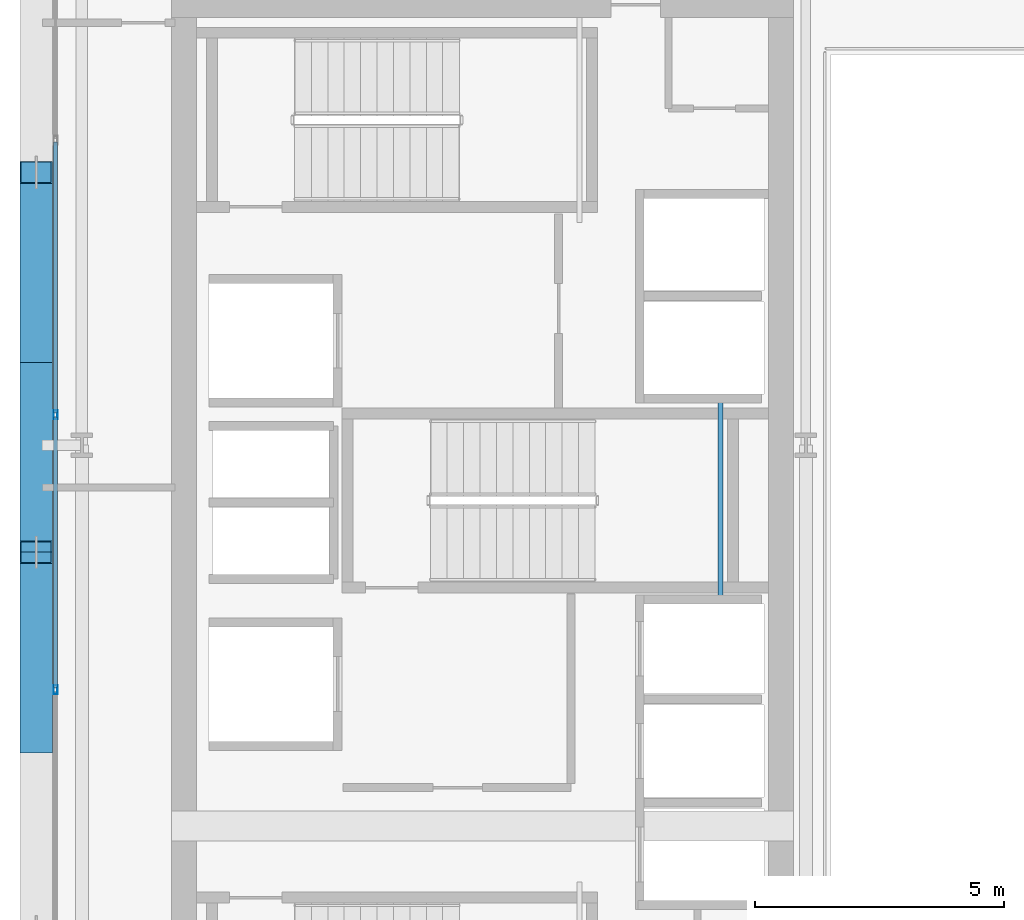
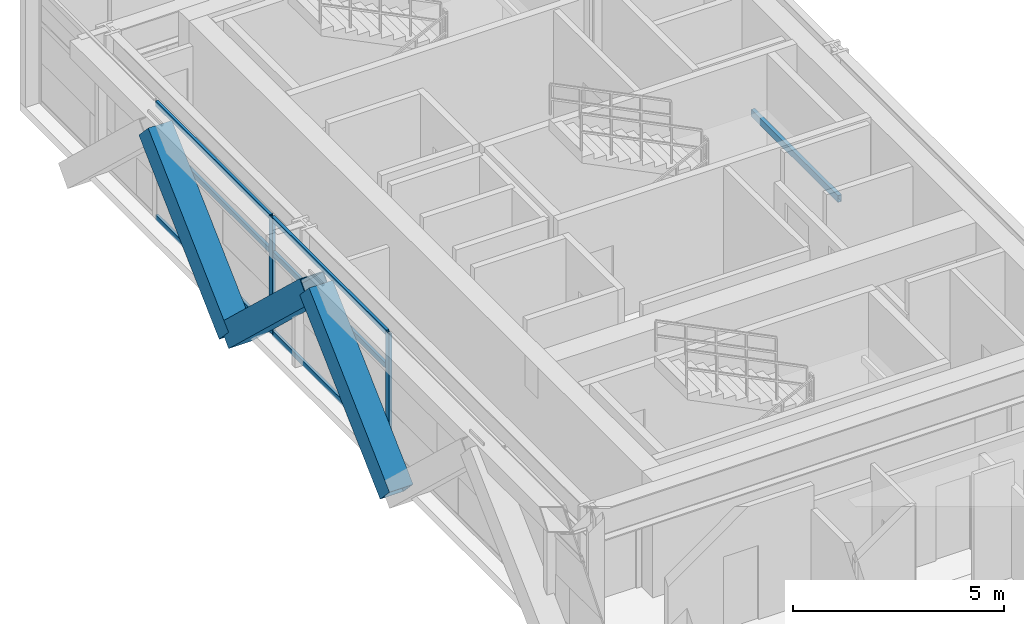
# One storey, part 7 of 31: 11 members, 1 beam, 1 element without a shape of its own.
"""IFC4 building model written with IfcOpenShell, lengths in metres."""

from ifc_helpers import new_model, si_unit, direction, frame, origin, origin_2d, place, context, subcontext, project, spatial, hollow_rectangle, extrude, source, transform, mapped, material, layer, layer_set, material_profile, profile_set, type_object, element, aggregate, save


model = new_model("IFC4")

# Units and contexts
model_context = context("Model", 3, precision=1e-05, world=origin(), true_north=direction((0.0, 1.0)))
body_context = subcontext(model_context, "Body", "Model", "MODEL_VIEW")
ifc_project = project(units=[si_unit("LENGTHUNIT", "METRE"), si_unit("AREAUNIT", "SQUARE_METRE"), si_unit("VOLUMEUNIT", "CUBIC_METRE"), si_unit("PLANEANGLEUNIT", "RADIAN"), si_unit("MASSUNIT", "GRAM", prefix="KILO")], contexts=[model_context])

# Site, building, storey
site_placement = place(None, origin())
site = spatial("IfcSite", under=ifc_project, at=site_placement, CompositionType="ELEMENT")
building_placement = place(site_placement, origin())
building = spatial("IfcBuilding", under=site, at=building_placement, Name="Ocotamira Hotel", CompositionType="ELEMENT")
storey_placement = place(building_placement, frame((0.0, 0.0, 210.0)))
storey = spatial("IfcBuildingStorey", under=building, at=storey_placement, Name="L53", CompositionType="ELEMENT", Elevation=210.0)

# Beam
ifc_material_1 = material(Name="Steel ASTM A500 Grade C", Category="steel")
ifc_material_profile_1 = material_profile(ifc_material_1, hollow_rectangle(XDim=0.10009765625, YDim=0.199951171875, WallThickness=0.008056640625, at=origin_2d()), Name="HSS200X100X8")
ifc_profile_set_1 = profile_set([ifc_material_profile_1], Name="Steel ASTM A500 Grade C")
beam_type = type_object("IfcBeamType", Name="BM-STLDG-HSS200", PredefinedType="BEAM", material=ifc_profile_set_1)
shared_shape_1 = source(origin(), body_context, "Body", "SweptSolid", [
    extrude(hollow_rectangle(XDim=0.10009765625, YDim=0.199951171875, WallThickness=0.008056640625, at=origin_2d()), origin(), (0.0, 0.0, 1.0), 4.1201171875),
])
beam_placement = place(storey_placement, frame((21.780029296875, 24.97998046875, 1.5), z_axis=(0.0, 1.0, 0.0), x_axis=(-1.0, 0.0, 0.0)))
element("IfcBeam", 1, at=beam_placement, inside=storey, type_object=beam_type, Name="L53 Stair ST-3 Landing Bearer 1", PredefinedType="BEAM", context=body_context, shape_type="MappedRepresentation", body=[
    mapped(shared_shape_1, transform((0.0, 0.0, 0.0), scale=1.0)),
])

# Members
ifc_material_2 = material(Name="Pale-metal coated steel ASTM A913 Grade 65", Category="steel")
ifc_material_profile_2 = material_profile(ifc_material_2, hollow_rectangle(XDim=0.64990234375, YDim=0.64990234375, WallThickness=0.02197265625, at=origin_2d()), Name="BOX650X650X22")
ifc_profile_set_2 = profile_set([ifc_material_profile_2], Name="Pale-metal coated steel ASTM A913 Grade 65")
member_type_1 = type_object("IfcMemberType", Name="MEM-EXO-BOX650", PredefinedType="BRACE", material=ifc_profile_set_2)
shared_shape_2 = source(origin(), body_context, "Body", "SweptSolid", [
    extrude(hollow_rectangle(XDim=0.64990234375, YDim=0.64990234375, WallThickness=0.02197265625, at=origin_2d()), origin(), (0.0, 0.0, 1.0), 5.24658203125),
])
for number, where, z_axis, x_axis, name in (
    (2, (8.030029296875, 22.183349609375, -0.47998046875), (0.0, 0.727442733726, 0.686168397078), (-1.0, 0.0, 0.0), "L53 Exoskeleton Diagrid W1.1"),
    (3, (8.030029296875, 29.816650390625, -0.47998046875), (0.0, -0.727442733726, 0.686168397078), (1.0, 0.0, 0.0), "L53 Exoskeleton Diagrid W1.2"),
    (4, (8.030029296875, 29.816650390625, -0.47998046875), (0.0, 0.727442733726, 0.686168397078), (-1.0, 0.0, 0.0), "L53 Exoskeleton Diagrid W2.1"),
):
    element("IfcMember", number, at=place(storey_placement, frame(where, z_axis=z_axis, x_axis=x_axis)), inside=storey, type_object=member_type_1, Name=name, PredefinedType="BRACE", context=body_context, shape_type="MappedRepresentation", body=[
        mapped(shared_shape_2, transform((0.0, 0.0, 0.0), scale=1.0)),
    ])

# Curtain wall, members
ifc_material_3 = material(Name="Anodised pale-metal aluminium and solar glass", Category="aluminium")
ifc_layer = layer(ifc_material_3, 0.199951171875)
ifc_layer_set = layer_set([ifc_layer], Name="Anodised pale-metal aluminium and solar glass")
curtain_wall_type = type_object("IfcCurtainWallType", Name="CW-SYS4-Z3", PredefinedType="NOTDEFINED", material=ifc_layer_set)
curtain_wall_placement = place(storey_placement, origin())
curtain_wall = element("IfcCurtainWall", 5, at=curtain_wall_placement, inside=storey, type_object=curtain_wall_type, Name="L53 Curtain Wall CW-4 CW-L53-W", PredefinedType="NOTDEFINED")
ifc_material_4 = material(Name="Anodised pale-metal aluminium 6063-T6", Category="aluminium")
ifc_material_profile_3 = material_profile(ifc_material_4, hollow_rectangle(XDim=0.080078125, YDim=0.179931640625, WallThickness=0.006103515625, at=origin_2d()), Name="HSS180X80X6")
ifc_profile_set_3 = profile_set([ifc_material_profile_3], Name="Anodised pale-metal aluminium 6063-T6")
member_type_2 = type_object("IfcMemberType", Name="CWM-180X75", PredefinedType="MULLION", material=ifc_profile_set_3)
shared_shape_3 = source(origin(), body_context, "Body", "SweptSolid", [
    extrude(hollow_rectangle(XDim=0.080078125, YDim=0.179931640625, WallThickness=0.006103515625, at=origin_2d()), origin(), (0.0, 0.0, 1.0), 3.3701171875),
])
member_1_placement = place(storey_placement, frame((8.419921875, 23.239990234375, 0.0), z_axis=(0.0, 0.0, 1.0), x_axis=(-1.0, 0.0, 0.0)))
member_1 = element("IfcMember", 6, at=member_1_placement, type_object=member_type_2, Name="CW-4 mullion 3", PredefinedType="MULLION", context=body_context, shape_type="MappedRepresentation", body=[
    mapped(shared_shape_3, transform((0.0, 0.0, 0.0), scale=1.0)),
])
member_2_placement = place(storey_placement, frame((8.419921875, 28.760009765625, 0.0), z_axis=(0.0, 0.0, 1.0), x_axis=(-1.0, 0.0, 0.0)))
member_2 = element("IfcMember", 7, at=member_2_placement, type_object=member_type_2, Name="CW-4 mullion 4", PredefinedType="MULLION", context=body_context, shape_type="MappedRepresentation", body=[
    mapped(shared_shape_3, transform((0.0, 0.0, 0.0), scale=1.0)),
])
ifc_material_profile_4 = material_profile(ifc_material_4, hollow_rectangle(XDim=0.074951171875, YDim=0.14990234375, WallThickness=0.006103515625, at=origin_2d()), Name="HSS150X75X6")
ifc_profile_set_4 = profile_set([ifc_material_profile_4], Name="Anodised pale-metal aluminium 6063-T6")
member_type_3 = type_object("IfcMemberType", Name="CWT-150X75", PredefinedType="USERDEFINED", material=ifc_profile_set_4)
shared_shape_4 = source(origin(), body_context, "Body", "SweptSolid", [
    extrude(hollow_rectangle(XDim=0.074951171875, YDim=0.14990234375, WallThickness=0.006103515625, at=origin_2d()), origin(), (0.0, 0.0, 1.0), 5.43994140625),
])
member_3_placement = place(storey_placement, frame((8.419921875, 23.280029296875, 0.03759765625), z_axis=(0.0, 1.0, 0.0), x_axis=(-1.0, 0.0, 0.0)))
member_3 = element("IfcMember", 8, at=member_3_placement, type_object=member_type_3, Name="CW-4 transom 3.1", ObjectType="TRANSOM", PredefinedType="USERDEFINED", context=body_context, shape_type="MappedRepresentation", body=[
    mapped(shared_shape_4, transform((0.0, 0.0, 0.0), scale=1.0)),
])
member_4_placement = place(storey_placement, frame((8.419921875, 23.280029296875, 2.35009765625), z_axis=(0.0, 1.0, 0.0), x_axis=(-1.0, 0.0, 0.0)))
member_4 = element("IfcMember", 9, at=member_4_placement, type_object=member_type_3, Name="CW-4 transom 3.2", ObjectType="TRANSOM", PredefinedType="USERDEFINED", context=body_context, shape_type="MappedRepresentation", body=[
    mapped(shared_shape_4, transform((0.0, 0.0, 0.0), scale=1.0)),
])
member_5_placement = place(storey_placement, frame((8.419921875, 23.280029296875, 3.33251953125), z_axis=(0.0, 1.0, 0.0), x_axis=(-1.0, 0.0, 0.0)))
member_5 = element("IfcMember", 10, at=member_5_placement, type_object=member_type_3, Name="CW-4 transom 3.3", ObjectType="TRANSOM", PredefinedType="USERDEFINED", context=body_context, shape_type="MappedRepresentation", body=[
    mapped(shared_shape_4, transform((0.0, 0.0, 0.0), scale=1.0)),
])
member_6_placement = place(storey_placement, frame((8.419921875, 28.800048828125, 0.03759765625), z_axis=(0.0, 1.0, 0.0), x_axis=(-1.0, 0.0, 0.0)))
member_6 = element("IfcMember", 11, at=member_6_placement, type_object=member_type_3, Name="CW-4 transom 4.1", ObjectType="TRANSOM", PredefinedType="USERDEFINED", context=body_context, shape_type="MappedRepresentation", body=[
    mapped(shared_shape_4, transform((0.0, 0.0, 0.0), scale=1.0)),
])
member_7_placement = place(storey_placement, frame((8.419921875, 28.800048828125, 2.35009765625), z_axis=(0.0, 1.0, 0.0), x_axis=(-1.0, 0.0, 0.0)))
member_7 = element("IfcMember", 12, at=member_7_placement, type_object=member_type_3, Name="CW-4 transom 4.2", ObjectType="TRANSOM", PredefinedType="USERDEFINED", context=body_context, shape_type="MappedRepresentation", body=[
    mapped(shared_shape_4, transform((0.0, 0.0, 0.0), scale=1.0)),
])
member_8_placement = place(storey_placement, frame((8.419921875, 28.800048828125, 3.33251953125), z_axis=(0.0, 1.0, 0.0), x_axis=(-1.0, 0.0, 0.0)))
member_8 = element("IfcMember", 13, at=member_8_placement, type_object=member_type_3, Name="CW-4 transom 4.3", ObjectType="TRANSOM", PredefinedType="USERDEFINED", context=body_context, shape_type="MappedRepresentation", body=[
    mapped(shared_shape_4, transform((0.0, 0.0, 0.0), scale=1.0)),
])
aggregate(curtain_wall, [member_1, member_2, member_3, member_4, member_5, member_6, member_7, member_8])

save(model, "model.ifc")
